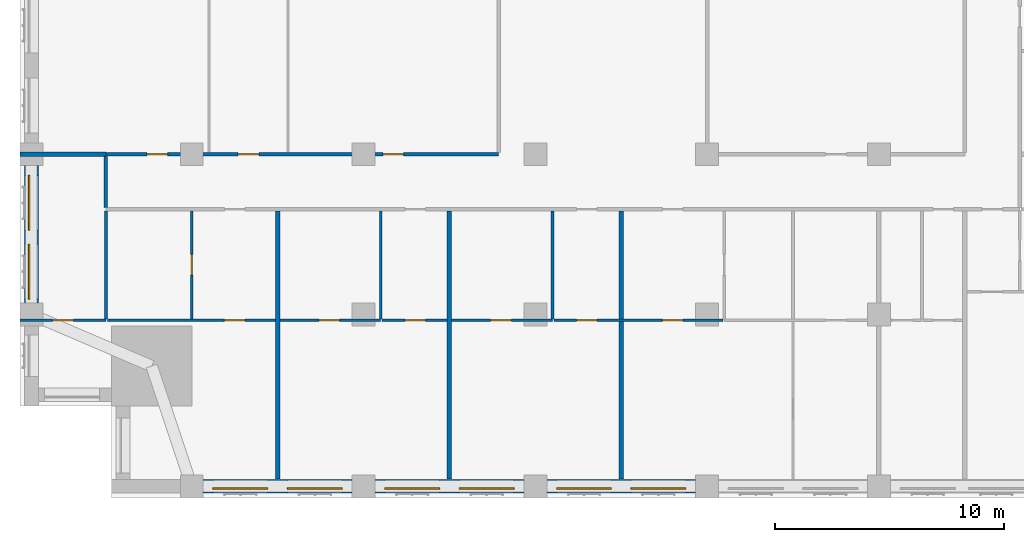
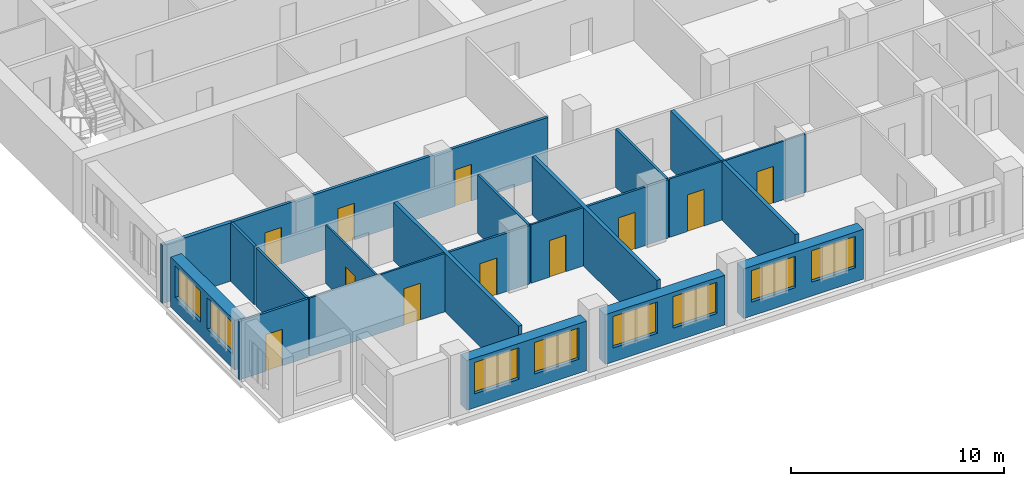
# One storey, part 4 of 14: 20 walls, 11 doors, 8 windows, 19 openings.
"""IFC4 building model written with IfcOpenShell, lengths in metres."""

from ifc_helpers import new_model, si_unit, direction, frame, frame_2d, origin, place, context, subcontext, project, spatial, rectangle, extrude, material, layer, layer_set, type_object, element, fill, save


model = new_model("IFC4")

# Units and contexts
model_context = context("Model", 3, precision=1e-05, world=origin(), true_north=direction((0.0, 1.0)))
body_context = subcontext(model_context, "Body", "Model", "MODEL_VIEW")
ifc_project = project(units=[si_unit("LENGTHUNIT", "METRE"), si_unit("AREAUNIT", "SQUARE_METRE"), si_unit("VOLUMEUNIT", "CUBIC_METRE"), si_unit("PLANEANGLEUNIT", "RADIAN"), si_unit("MASSUNIT", "GRAM", prefix="KILO")], contexts=[model_context])

# Site, building, storey
site_placement = place(None, origin())
site = spatial("IfcSite", under=ifc_project, at=site_placement, CompositionType="ELEMENT")
building_placement = place(site_placement, origin())
building = spatial("IfcBuilding", under=site, at=building_placement, Name="Tamorin Gate", CompositionType="ELEMENT")
storey_placement = place(building_placement, frame((0.0, 0.0, 148.199951171875)))
storey = spatial("IfcBuildingStorey", under=building, at=storey_placement, Name="L36", CompositionType="ELEMENT", Elevation=148.199951171875)

# Wall, openings, windows
ifc_material_1 = material(Name="Precast concrete C40/50", Category="concrete")
ifc_layer_1 = layer(ifc_material_1, 0.60009765625)
ifc_layer_set_1 = layer_set([ifc_layer_1], Name="Precast concrete C40/50")
wall_type_1 = type_object("IfcWallType", Name="Board-marked concrete facade panel 600", PredefinedType="SOLIDWALL", material=ifc_layer_set_1)
wall_1_placement = place(storey_placement, frame((38.0, 38.0, 0.0), z_axis=(0.0, 0.0, 1.0), x_axis=(1.0, 0.0, 0.0)))
wall_1 = element("IfcWall", 1, at=wall_1_placement, inside=storey, type_object=wall_type_1, Name="Facade panel", PredefinedType="SOLIDWALL", context=body_context, shape_type="SweptSolid", body=[
    extrude(rectangle(XDim=6.5, YDim=0.60009765625, at=frame_2d((3.25, 0.0))), origin(), (0.0, 0.0, 1.0), 2.85009765625),
])
opening_1_placement = place(wall_1_placement, frame((0.425048828125, 0.0, 0.800048828125)))
opening_1 = element("IfcOpeningElement", 2, at=opening_1_placement, cuts=wall_1, Name="Opening WN1", PredefinedType="OPENING", context=body_context, shape_type="SweptSolid", body=[
    extrude(rectangle(XDim=2.39990234375, YDim=1.800048828125, at=frame_2d((1.199951171875, 0.89990234375))), frame((0.0, 0.31005859375, 0.0), z_axis=(0.0, -1.0, 0.0), x_axis=(1.0, 0.0, 0.0)), (0.0, 0.0, 1.0), 0.6201171875),
])
opening_2_placement = place(wall_1_placement, frame((3.675048828125, 0.0, 0.800048828125)))
opening_2 = element("IfcOpeningElement", 3, at=opening_2_placement, cuts=wall_1, Name="Opening WN1", PredefinedType="OPENING", context=body_context, shape_type="SweptSolid", body=[
    extrude(rectangle(XDim=2.39990234375, YDim=1.800048828125, at=frame_2d((1.199951171875, 0.89990234375))), frame((0.0, 0.31005859375, 0.0), z_axis=(0.0, -1.0, 0.0), x_axis=(1.0, 0.0, 0.0)), (0.0, 0.0, 1.0), 0.6201171875),
])
ifc_material_2 = material(Name="Clear glass in aluminium frame", Category="aluminium")
window_type = type_object("IfcWindowType", Name="Deep-set window 2400x1800", PartitioningType="SINGLE_PANEL", PredefinedType="WINDOW", material=ifc_material_2)
window_1_placement = place(opening_1_placement, origin())
window_1 = element("IfcWindow", 4, at=window_1_placement, inside=storey, type_object=window_type, Name="Deep-set window", OverallHeight=1.800048828125, OverallWidth=2.39990234375, PartitioningType="SINGLE_PANEL", PredefinedType="WINDOW", context=body_context, shape_type="SweptSolid", body=[
    extrude(rectangle(XDim=2.39990234375, YDim=1.800048828125, at=frame_2d((1.199951171875, 0.89990234375))), frame((0.0, -0.070068359375, 0.0), z_axis=(0.0, -1.0, 0.0), x_axis=(1.0, 0.0, 0.0)), (0.0, 0.0, 1.0), 0.06005859375),
])
fill(opening_1, window_1)
window_2_placement = place(opening_2_placement, origin())
window_2 = element("IfcWindow", 5, at=window_2_placement, inside=storey, type_object=window_type, Name="Deep-set window", OverallHeight=1.800048828125, OverallWidth=2.39990234375, PartitioningType="SINGLE_PANEL", PredefinedType="WINDOW", context=body_context, shape_type="SweptSolid", body=[
    extrude(rectangle(XDim=2.39990234375, YDim=1.800048828125, at=frame_2d((1.199951171875, 0.89990234375))), frame((0.0, -0.070068359375, 0.0), z_axis=(0.0, -1.0, 0.0), x_axis=(1.0, 0.0, 0.0)), (0.0, 0.0, 1.0), 0.06005859375),
])
fill(opening_2, window_2)

wall_2_placement = place(storey_placement, frame((45.5, 38.0, 0.0), z_axis=(0.0, 0.0, 1.0), x_axis=(1.0, 0.0, 0.0)))
wall_2 = element("IfcWall", 6, at=wall_2_placement, inside=storey, type_object=wall_type_1, Name="Facade panel", PredefinedType="SOLIDWALL", context=body_context, shape_type="SweptSolid", body=[
    extrude(rectangle(XDim=6.5, YDim=0.60009765625, at=frame_2d((3.25, 0.0))), origin(), (0.0, 0.0, 1.0), 2.85009765625),
])
opening_3_placement = place(wall_2_placement, frame((0.425048828125, 0.0, 0.800048828125)))
opening_3 = element("IfcOpeningElement", 7, at=opening_3_placement, cuts=wall_2, Name="Opening WN1", PredefinedType="OPENING", context=body_context, shape_type="SweptSolid", body=[
    extrude(rectangle(XDim=2.39990234375, YDim=1.800048828125, at=frame_2d((1.199951171875, 0.89990234375))), frame((0.0, 0.31005859375, 0.0), z_axis=(0.0, -1.0, 0.0), x_axis=(1.0, 0.0, 0.0)), (0.0, 0.0, 1.0), 0.6201171875),
])
opening_4_placement = place(wall_2_placement, frame((3.675048828125, 0.0, 0.800048828125)))
opening_4 = element("IfcOpeningElement", 8, at=opening_4_placement, cuts=wall_2, Name="Opening WN1", PredefinedType="OPENING", context=body_context, shape_type="SweptSolid", body=[
    extrude(rectangle(XDim=2.39990234375, YDim=1.800048828125, at=frame_2d((1.199951171875, 0.89990234375))), frame((0.0, 0.31005859375, 0.0), z_axis=(0.0, -1.0, 0.0), x_axis=(1.0, 0.0, 0.0)), (0.0, 0.0, 1.0), 0.6201171875),
])
window_3_placement = place(opening_3_placement, origin())
window_3 = element("IfcWindow", 9, at=window_3_placement, inside=storey, type_object=window_type, Name="Deep-set window", OverallHeight=1.800048828125, OverallWidth=2.39990234375, PartitioningType="SINGLE_PANEL", PredefinedType="WINDOW", context=body_context, shape_type="SweptSolid", body=[
    extrude(rectangle(XDim=2.39990234375, YDim=1.800048828125, at=frame_2d((1.199951171875, 0.89990234375))), frame((0.0, -0.070068359375, 0.0), z_axis=(0.0, -1.0, 0.0), x_axis=(1.0, 0.0, 0.0)), (0.0, 0.0, 1.0), 0.06005859375),
])
fill(opening_3, window_3)
window_4_placement = place(opening_4_placement, origin())
window_4 = element("IfcWindow", 10, at=window_4_placement, inside=storey, type_object=window_type, Name="Deep-set window", OverallHeight=1.800048828125, OverallWidth=2.39990234375, PartitioningType="SINGLE_PANEL", PredefinedType="WINDOW", context=body_context, shape_type="SweptSolid", body=[
    extrude(rectangle(XDim=2.39990234375, YDim=1.800048828125, at=frame_2d((1.199951171875, 0.89990234375))), frame((0.0, -0.070068359375, 0.0), z_axis=(0.0, -1.0, 0.0), x_axis=(1.0, 0.0, 0.0)), (0.0, 0.0, 1.0), 0.06005859375),
])
fill(opening_4, window_4)

wall_3_placement = place(storey_placement, frame((53.0, 38.0, 0.0), z_axis=(0.0, 0.0, 1.0), x_axis=(1.0, 0.0, 0.0)))
wall_3 = element("IfcWall", 11, at=wall_3_placement, inside=storey, type_object=wall_type_1, Name="Facade panel", PredefinedType="SOLIDWALL", context=body_context, shape_type="SweptSolid", body=[
    extrude(rectangle(XDim=6.5, YDim=0.60009765625, at=frame_2d((3.25, 0.0))), origin(), (0.0, 0.0, 1.0), 2.85009765625),
])
opening_5_placement = place(wall_3_placement, frame((0.425048828125, 0.0, 0.800048828125)))
opening_5 = element("IfcOpeningElement", 12, at=opening_5_placement, cuts=wall_3, Name="Opening WN1", PredefinedType="OPENING", context=body_context, shape_type="SweptSolid", body=[
    extrude(rectangle(XDim=2.39990234375, YDim=1.800048828125, at=frame_2d((1.199951171875, 0.89990234375))), frame((0.0, 0.31005859375, 0.0), z_axis=(0.0, -1.0, 0.0), x_axis=(1.0, 0.0, 0.0)), (0.0, 0.0, 1.0), 0.6201171875),
])
opening_6_placement = place(wall_3_placement, frame((3.675048828125, 0.0, 0.800048828125)))
opening_6 = element("IfcOpeningElement", 13, at=opening_6_placement, cuts=wall_3, Name="Opening WN1", PredefinedType="OPENING", context=body_context, shape_type="SweptSolid", body=[
    extrude(rectangle(XDim=2.39990234375, YDim=1.800048828125, at=frame_2d((1.199951171875, 0.89990234375))), frame((0.0, 0.31005859375, 0.0), z_axis=(0.0, -1.0, 0.0), x_axis=(1.0, 0.0, 0.0)), (0.0, 0.0, 1.0), 0.6201171875),
])
window_5_placement = place(opening_5_placement, origin())
window_5 = element("IfcWindow", 14, at=window_5_placement, inside=storey, type_object=window_type, Name="Deep-set window", OverallHeight=1.800048828125, OverallWidth=2.39990234375, PartitioningType="SINGLE_PANEL", PredefinedType="WINDOW", context=body_context, shape_type="SweptSolid", body=[
    extrude(rectangle(XDim=2.39990234375, YDim=1.800048828125, at=frame_2d((1.199951171875, 0.89990234375))), frame((0.0, -0.070068359375, 0.0), z_axis=(0.0, -1.0, 0.0), x_axis=(1.0, 0.0, 0.0)), (0.0, 0.0, 1.0), 0.06005859375),
])
fill(opening_5, window_5)
window_6_placement = place(opening_6_placement, origin())
window_6 = element("IfcWindow", 15, at=window_6_placement, inside=storey, type_object=window_type, Name="Deep-set window", OverallHeight=1.800048828125, OverallWidth=2.39990234375, PartitioningType="SINGLE_PANEL", PredefinedType="WINDOW", context=body_context, shape_type="SweptSolid", body=[
    extrude(rectangle(XDim=2.39990234375, YDim=1.800048828125, at=frame_2d((1.199951171875, 0.89990234375))), frame((0.0, -0.070068359375, 0.0), z_axis=(0.0, -1.0, 0.0), x_axis=(1.0, 0.0, 0.0)), (0.0, 0.0, 1.0), 0.06005859375),
])
fill(opening_6, window_6)

wall_4_placement = place(storey_placement, frame((30.5, 52.0, 0.0), z_axis=(0.0, 0.0, 1.0), x_axis=(0.0, -1.0, 0.0)))
wall_4 = element("IfcWall", 16, at=wall_4_placement, inside=storey, type_object=wall_type_1, Name="Facade panel", PredefinedType="SOLIDWALL", context=body_context, shape_type="SweptSolid", body=[
    extrude(rectangle(XDim=6.0, YDim=0.60009765625, at=frame_2d((3.0, 0.0))), origin(), (0.0, 0.0, 1.0), 2.85009765625),
])
opening_7_placement = place(wall_4_placement, frame((3.425048828125, 0.0, 0.800048828125)))
opening_7 = element("IfcOpeningElement", 17, at=opening_7_placement, cuts=wall_4, Name="Opening WN1", PredefinedType="OPENING", context=body_context, shape_type="SweptSolid", body=[
    extrude(rectangle(XDim=2.39990234375, YDim=1.800048828125, at=frame_2d((1.199951171875, 0.89990234375))), frame((0.0, 0.31005859375, 0.0), z_axis=(0.0, -1.0, 0.0), x_axis=(1.0, 0.0, 0.0)), (0.0, 0.0, 1.0), 0.6201171875),
])
opening_8_placement = place(wall_4_placement, frame((0.425048828125, 0.0, 0.800048828125)))
opening_8 = element("IfcOpeningElement", 18, at=opening_8_placement, cuts=wall_4, Name="Opening WN1", PredefinedType="OPENING", context=body_context, shape_type="SweptSolid", body=[
    extrude(rectangle(XDim=2.39990234375, YDim=1.800048828125, at=frame_2d((1.199951171875, 0.89990234375))), frame((0.0, 0.31005859375, 0.0), z_axis=(0.0, -1.0, 0.0), x_axis=(1.0, 0.0, 0.0)), (0.0, 0.0, 1.0), 0.6201171875),
])
window_7_placement = place(opening_7_placement, origin())
window_7 = element("IfcWindow", 19, at=window_7_placement, inside=storey, type_object=window_type, Name="Deep-set window", OverallHeight=1.800048828125, OverallWidth=2.39990234375, PartitioningType="SINGLE_PANEL", PredefinedType="WINDOW", context=body_context, shape_type="SweptSolid", body=[
    extrude(rectangle(XDim=2.39990234375, YDim=1.800048828125, at=frame_2d((1.199951171875, 0.89990234375))), frame((0.0, -0.070068359375, 0.0), z_axis=(0.0, -1.0, 0.0), x_axis=(1.0, 0.0, 0.0)), (0.0, 0.0, 1.0), 0.06005859375),
])
fill(opening_7, window_7)
window_8_placement = place(opening_8_placement, origin())
window_8 = element("IfcWindow", 20, at=window_8_placement, inside=storey, type_object=window_type, Name="Deep-set window", OverallHeight=1.800048828125, OverallWidth=2.39990234375, PartitioningType="SINGLE_PANEL", PredefinedType="WINDOW", context=body_context, shape_type="SweptSolid", body=[
    extrude(rectangle(XDim=2.39990234375, YDim=1.800048828125, at=frame_2d((1.199951171875, 0.89990234375))), frame((0.0, -0.070068359375, 0.0), z_axis=(0.0, -1.0, 0.0), x_axis=(1.0, 0.0, 0.0)), (0.0, 0.0, 1.0), 0.06005859375),
])
fill(opening_8, window_8)

# Wall, openings, doors
ifc_material_3 = material(Name="Gypsum board partition")
ifc_layer_2 = layer(ifc_material_3, 0.14990234375)
ifc_layer_set_2 = layer_set([ifc_layer_2], Name="Corridor wall 150")
wall_type_2 = type_object("IfcWallType", Name="Corridor wall 150", PredefinedType="PARTITIONING", material=ifc_layer_set_2)
wall_5_placement = place(storey_placement, frame((33.75, 52.5, 0.0), z_axis=(0.0, 0.0, 1.0), x_axis=(1.0, 0.0, 0.0)))
wall_5 = element("IfcWall", 21, at=wall_5_placement, inside=storey, type_object=wall_type_2, Name="Corridor wall 150", PredefinedType="PARTITIONING", context=body_context, shape_type="SweptSolid", body=[
    extrude(rectangle(XDim=17.14990234375, YDim=0.14990234375, at=frame_2d((8.574951171875, 0.0))), origin(), (0.0, 0.0, 1.0), 3.35009765625),
])
opening_9_placement = place(wall_5_placement, frame((1.800048828125, 0.0, 0.0)))
opening_9 = element("IfcOpeningElement", 22, at=opening_9_placement, cuts=wall_5, Name="Opening DS2066", PredefinedType="OPENING", context=body_context, shape_type="SweptSolid", body=[
    extrude(rectangle(XDim=0.89990234375, YDim=2.10009765625, at=frame_2d((0.449951171875, 1.050048828125))), frame((0.0, 0.0849609375, 0.0), z_axis=(0.0, -1.0, 0.0), x_axis=(1.0, 0.0, 0.0)), (0.0, 0.0, 1.0), 0.169921875),
])
opening_10_placement = place(wall_5_placement, frame((5.77490234375, 0.0, 0.0)))
opening_10 = element("IfcOpeningElement", 23, at=opening_10_placement, cuts=wall_5, Name="Opening DS2067", PredefinedType="OPENING", context=body_context, shape_type="SweptSolid", body=[
    extrude(rectangle(XDim=0.89990234375, YDim=2.10009765625, at=frame_2d((0.449951171875, 1.050048828125))), frame((0.0, 0.0849609375, 0.0), z_axis=(0.0, -1.0, 0.0), x_axis=(1.0, 0.0, 0.0)), (0.0, 0.0, 1.0), 0.169921875),
])
opening_11_placement = place(wall_5_placement, frame((12.10009765625, 0.0, 0.0)))
opening_11 = element("IfcOpeningElement", 24, at=opening_11_placement, cuts=wall_5, Name="Opening DS2068", PredefinedType="OPENING", context=body_context, shape_type="SweptSolid", body=[
    extrude(rectangle(XDim=0.89990234375, YDim=2.10009765625, at=frame_2d((0.449951171875, 1.050048828125))), frame((0.0, 0.0849609375, 0.0), z_axis=(0.0, -1.0, 0.0), x_axis=(1.0, 0.0, 0.0)), (0.0, 0.0, 1.0), 0.169921875),
])
ifc_material_4 = material(Name="Timber door leaf", Category="wood")
door_type_1 = type_object("IfcDoorType", Name="Door 900 x 2100 FD30S", OperationType="NOTDEFINED", PredefinedType="DOOR", material=ifc_material_4)
door_1_placement = place(opening_9_placement, origin())
door_1 = element("IfcDoor", 25, at=door_1_placement, inside=storey, type_object=door_type_1, Name="Door DS2066", OperationType="SINGLE_SWING_LEFT", OverallHeight=2.10009765625, OverallWidth=0.89990234375, PredefinedType="DOOR", context=body_context, shape_type="SweptSolid", body=[
    extrude(rectangle(XDim=0.89990234375, YDim=2.10009765625, at=frame_2d((0.449951171875, 1.050048828125))), frame((0.0, 0.02490234375, 0.0), z_axis=(0.0, -1.0, 0.0), x_axis=(1.0, 0.0, 0.0)), (0.0, 0.0, 1.0), 0.050048828125),
])
fill(opening_9, door_1)
door_2_placement = place(opening_10_placement, origin())
door_2 = element("IfcDoor", 26, at=door_2_placement, inside=storey, type_object=door_type_1, Name="Door DS2067", OperationType="SINGLE_SWING_LEFT", OverallHeight=2.10009765625, OverallWidth=0.89990234375, PredefinedType="DOOR", context=body_context, shape_type="SweptSolid", body=[
    extrude(rectangle(XDim=0.89990234375, YDim=2.10009765625, at=frame_2d((0.449951171875, 1.050048828125))), frame((0.0, 0.02490234375, 0.0), z_axis=(0.0, -1.0, 0.0), x_axis=(1.0, 0.0, 0.0)), (0.0, 0.0, 1.0), 0.050048828125),
])
fill(opening_10, door_2)
door_3_placement = place(opening_11_placement, origin())
door_3 = element("IfcDoor", 27, at=door_3_placement, inside=storey, type_object=door_type_1, Name="Door DS2068", OperationType="SINGLE_SWING_LEFT", OverallHeight=2.10009765625, OverallWidth=0.89990234375, PredefinedType="DOOR", context=body_context, shape_type="SweptSolid", body=[
    extrude(rectangle(XDim=0.89990234375, YDim=2.10009765625, at=frame_2d((0.449951171875, 1.050048828125))), frame((0.0, 0.02490234375, 0.0), z_axis=(0.0, -1.0, 0.0), x_axis=(1.0, 0.0, 0.0)), (0.0, 0.0, 1.0), 0.050048828125),
])
fill(opening_11, door_3)

# Walls
wall_6_placement = place(storey_placement, frame((33.75, 50.175048828125, 0.0), z_axis=(0.0, 0.0, 1.0), x_axis=(0.0, 1.0, 0.0)))
element("IfcWall", 28, at=wall_6_placement, inside=storey, type_object=wall_type_2, Name="Corridor wall 150", PredefinedType="PARTITIONING", context=body_context, shape_type="SweptSolid", body=[
    extrude(rectangle(XDim=2.224853515625, YDim=0.14990234375, at=frame_2d((1.1123046875, 0.0))), origin(), (0.0, 0.0, 1.0), 3.35009765625),
])
ifc_layer_3 = layer(ifc_material_3, 0.199951171875)
ifc_layer_set_3 = layer_set([ifc_layer_3], Name="Demising wall 200")
wall_type_3 = type_object("IfcWallType", Name="Demising wall 200", PredefinedType="PARTITIONING", material=ifc_layer_set_3)
wall_7_placement = place(storey_placement, frame((30.0, 52.5, 0.0), z_axis=(0.0, 0.0, 1.0), x_axis=(1.0, 0.0, 0.0)))
element("IfcWall", 29, at=wall_7_placement, inside=storey, type_object=wall_type_3, Name="Demising wall 200", PredefinedType="PARTITIONING", context=body_context, shape_type="SweptSolid", body=[
    extrude(rectangle(XDim=3.75, YDim=0.199951171875, at=frame_2d((1.875, 0.0))), origin(), (0.0, 0.0, 1.0), 3.35009765625),
])
for number, where, z_axis, x_axis, name in (
    (30, (41.25, 38.31005859375, 0.0), (0.0, 0.0, 1.0), (0.0, 1.0, 0.0), "Demising wall 200"),
    (31, (48.75, 38.31005859375, 0.0), (0.0, 0.0, 1.0), (0.0, 1.0, 0.0), "Demising wall 200"),
    (32, (56.25, 38.31005859375, 0.0), (0.0, 0.0, 1.0), (0.0, 1.0, 0.0), "Demising wall 200"),
):
    element("IfcWall", number, at=place(storey_placement, frame(where, z_axis=z_axis, x_axis=x_axis)), inside=storey, type_object=wall_type_3, Name=name, PredefinedType="PARTITIONING", context=body_context, shape_type="SweptSolid", body=[
        extrude(rectangle(XDim=11.71484375, YDim=0.199951171875, at=frame_2d((5.857421875, 0.0))), origin(), (0.0, 0.0, 1.0), 3.35009765625),
    ])

# Wall, opening, door
ifc_layer_4 = layer(ifc_material_3, 0.10009765625)
ifc_layer_set_4 = layer_set([ifc_layer_4], Name="Room partition 100")
wall_type_4 = type_object("IfcWallType", Name="Room partition 100", PredefinedType="PARTITIONING", material=ifc_layer_set_4)
wall_8_placement = place(storey_placement, frame((33.8125, 45.25, 0.0), z_axis=(0.0, 0.0, 1.0), x_axis=(1.0, 0.0, 0.0)))
wall_8 = element("IfcWall", 33, at=wall_8_placement, inside=storey, type_object=wall_type_4, Name="Room partition 100", PredefinedType="PARTITIONING", context=body_context, shape_type="SweptSolid", body=[
    extrude(rectangle(XDim=7.33740234375, YDim=0.10009765625, at=frame_2d((3.668701171875, 0.0))), origin(), (0.0, 0.0, 1.0), 3.35009765625),
])
opening_12_placement = place(wall_8_placement, frame((5.112548828125, 0.0, 0.0)))
opening_12 = element("IfcOpeningElement", 34, at=opening_12_placement, cuts=wall_8, Name="Opening DS2004", PredefinedType="OPENING", context=body_context, shape_type="SweptSolid", body=[
    extrude(rectangle(XDim=0.89990234375, YDim=2.10009765625, at=frame_2d((0.449951171875, 1.050048828125))), frame((0.0, 0.06005859375, 0.0), z_axis=(0.0, -1.0, 0.0), x_axis=(1.0, 0.0, 0.0)), (0.0, 0.0, 1.0), 0.1201171875),
])
door_type_2 = type_object("IfcDoorType", Name="Door 900 x 2100", OperationType="NOTDEFINED", PredefinedType="DOOR", material=ifc_material_4)
door_4_placement = place(opening_12_placement, origin())
door_4 = element("IfcDoor", 35, at=door_4_placement, inside=storey, type_object=door_type_2, Name="Door DS2004", OperationType="SINGLE_SWING_LEFT", OverallHeight=2.10009765625, OverallWidth=0.89990234375, PredefinedType="DOOR", context=body_context, shape_type="SweptSolid", body=[
    extrude(rectangle(XDim=0.89990234375, YDim=2.10009765625, at=frame_2d((0.449951171875, 1.050048828125))), frame((0.0, 0.02490234375, 0.0), z_axis=(0.0, -1.0, 0.0), x_axis=(1.0, 0.0, 0.0)), (0.0, 0.0, 1.0), 0.050048828125),
])
fill(opening_12, door_4)

wall_9_placement = place(storey_placement, frame((45.8125, 45.25, 0.0), z_axis=(0.0, 0.0, 1.0), x_axis=(1.0, 0.0, 0.0)))
wall_9 = element("IfcWall", 36, at=wall_9_placement, inside=storey, type_object=wall_type_4, Name="Room partition 100", PredefinedType="PARTITIONING", context=body_context, shape_type="SweptSolid", body=[
    extrude(rectangle(XDim=2.83740234375, YDim=0.10009765625, at=frame_2d((1.418701171875, 0.0))), origin(), (0.0, 0.0, 1.0), 3.35009765625),
])
opening_13_placement = place(wall_9_placement, frame((0.987548828125, 0.0, 0.0)))
opening_13 = element("IfcOpeningElement", 37, at=opening_13_placement, cuts=wall_9, Name="Opening DS2007", PredefinedType="OPENING", context=body_context, shape_type="SweptSolid", body=[
    extrude(rectangle(XDim=0.89990234375, YDim=2.10009765625, at=frame_2d((0.449951171875, 1.050048828125))), frame((0.0, 0.06005859375, 0.0), z_axis=(0.0, -1.0, 0.0), x_axis=(1.0, 0.0, 0.0)), (0.0, 0.0, 1.0), 0.1201171875),
])
door_5_placement = place(opening_13_placement, origin())
door_5 = element("IfcDoor", 38, at=door_5_placement, inside=storey, type_object=door_type_2, Name="Door DS2007", OperationType="SINGLE_SWING_LEFT", OverallHeight=2.10009765625, OverallWidth=0.89990234375, PredefinedType="DOOR", context=body_context, shape_type="SweptSolid", body=[
    extrude(rectangle(XDim=0.89990234375, YDim=2.10009765625, at=frame_2d((0.449951171875, 1.050048828125))), frame((0.0, 0.02490234375, 0.0), z_axis=(0.0, -1.0, 0.0), x_axis=(1.0, 0.0, 0.0)), (0.0, 0.0, 1.0), 0.050048828125),
])
fill(opening_13, door_5)

# Wall, openings, doors
wall_10_placement = place(storey_placement, frame((53.3125, 45.25, 0.0), z_axis=(0.0, 0.0, 1.0), x_axis=(1.0, 0.0, 0.0)))
wall_10 = element("IfcWall", 39, at=wall_10_placement, inside=storey, type_object=wall_type_4, Name="Room partition 100", PredefinedType="PARTITIONING", context=body_context, shape_type="SweptSolid", body=[
    extrude(rectangle(XDim=7.375, YDim=0.10009765625, at=frame_2d((3.6875, 0.0))), origin(), (0.0, 0.0, 1.0), 3.35009765625),
])
opening_14_placement = place(wall_10_placement, frame((0.987548828125, 0.0, 0.0)))
opening_14 = element("IfcOpeningElement", 40, at=opening_14_placement, cuts=wall_10, Name="Opening DS2010", PredefinedType="OPENING", context=body_context, shape_type="SweptSolid", body=[
    extrude(rectangle(XDim=0.89990234375, YDim=2.10009765625, at=frame_2d((0.449951171875, 1.050048828125))), frame((0.0, 0.06005859375, 0.0), z_axis=(0.0, -1.0, 0.0), x_axis=(1.0, 0.0, 0.0)), (0.0, 0.0, 1.0), 0.1201171875),
])
opening_15_placement = place(wall_10_placement, frame((4.737548828125, 0.0, 0.0)))
opening_15 = element("IfcOpeningElement", 41, at=opening_15_placement, cuts=wall_10, Name="Opening DS2012", PredefinedType="OPENING", context=body_context, shape_type="SweptSolid", body=[
    extrude(rectangle(XDim=0.89990234375, YDim=2.10009765625, at=frame_2d((0.449951171875, 1.050048828125))), frame((0.0, 0.06005859375, 0.0), z_axis=(0.0, -1.0, 0.0), x_axis=(1.0, 0.0, 0.0)), (0.0, 0.0, 1.0), 0.1201171875),
])
door_6_placement = place(opening_14_placement, origin())
door_6 = element("IfcDoor", 42, at=door_6_placement, inside=storey, type_object=door_type_2, Name="Door DS2010", OperationType="SINGLE_SWING_LEFT", OverallHeight=2.10009765625, OverallWidth=0.89990234375, PredefinedType="DOOR", context=body_context, shape_type="SweptSolid", body=[
    extrude(rectangle(XDim=0.89990234375, YDim=2.10009765625, at=frame_2d((0.449951171875, 1.050048828125))), frame((0.0, 0.02490234375, 0.0), z_axis=(0.0, -1.0, 0.0), x_axis=(1.0, 0.0, 0.0)), (0.0, 0.0, 1.0), 0.050048828125),
])
fill(opening_14, door_6)
door_7_placement = place(opening_15_placement, origin())
door_7 = element("IfcDoor", 43, at=door_7_placement, inside=storey, type_object=door_type_2, Name="Door DS2012", OperationType="SINGLE_SWING_LEFT", OverallHeight=2.10009765625, OverallWidth=0.89990234375, PredefinedType="DOOR", context=body_context, shape_type="SweptSolid", body=[
    extrude(rectangle(XDim=0.89990234375, YDim=2.10009765625, at=frame_2d((0.449951171875, 1.050048828125))), frame((0.0, 0.02490234375, 0.0), z_axis=(0.0, -1.0, 0.0), x_axis=(1.0, 0.0, 0.0)), (0.0, 0.0, 1.0), 0.050048828125),
])
fill(opening_15, door_7)

# Wall, opening, door
wall_11_placement = place(storey_placement, frame((37.5, 45.300048828125, 0.0), z_axis=(0.0, 0.0, 1.0), x_axis=(0.0, 1.0, 0.0)))
wall_11 = element("IfcWall", 44, at=wall_11_placement, inside=storey, type_object=wall_type_4, Name="Room partition 100", PredefinedType="PARTITIONING", context=body_context, shape_type="SweptSolid", body=[
    extrude(rectangle(XDim=4.724853515625, YDim=0.10009765625, at=frame_2d((2.3623046875, 0.0))), origin(), (0.0, 0.0, 1.0), 3.35009765625),
])
opening_16_placement = place(wall_11_placement, frame((1.925048828125, 0.0, 0.0)))
opening_16 = element("IfcOpeningElement", 45, at=opening_16_placement, cuts=wall_11, Name="Opening DS2002", PredefinedType="OPENING", context=body_context, shape_type="SweptSolid", body=[
    extrude(rectangle(XDim=0.89990234375, YDim=2.10009765625, at=frame_2d((0.449951171875, 1.050048828125))), frame((0.0, 0.06005859375, 0.0), z_axis=(0.0, -1.0, 0.0), x_axis=(1.0, 0.0, 0.0)), (0.0, 0.0, 1.0), 0.1201171875),
])
door_8_placement = place(opening_16_placement, origin())
door_8 = element("IfcDoor", 46, at=door_8_placement, inside=storey, type_object=door_type_2, Name="Door DS2002", OperationType="SINGLE_SWING_RIGHT", OverallHeight=2.10009765625, OverallWidth=0.89990234375, PredefinedType="DOOR", context=body_context, shape_type="SweptSolid", body=[
    extrude(rectangle(XDim=0.89990234375, YDim=2.10009765625, at=frame_2d((0.449951171875, 1.050048828125))), frame((0.0, 0.02490234375, 0.0), z_axis=(0.0, -1.0, 0.0), x_axis=(1.0, 0.0, 0.0)), (0.0, 0.0, 1.0), 0.050048828125),
])
fill(opening_16, door_8)

ifc_layer_5 = layer(ifc_material_3, 0.125)
ifc_layer_set_5 = layer_set([ifc_layer_5], Name="Wet wall 125")
wall_type_5 = type_object("IfcWallType", Name="Wet wall 125", PredefinedType="PARTITIONING", material=ifc_layer_set_5)
wall_12_placement = place(storey_placement, frame((30.0, 45.25, 0.0), z_axis=(0.0, 0.0, 1.0), x_axis=(1.0, 0.0, 0.0)))
wall_12 = element("IfcWall", 47, at=wall_12_placement, inside=storey, type_object=wall_type_5, Name="Wet wall 125", PredefinedType="PARTITIONING", context=body_context, shape_type="SweptSolid", body=[
    extrude(rectangle(XDim=3.75, YDim=0.125, at=frame_2d((1.875, 0.0))), origin(), (0.0, 0.0, 1.0), 3.35009765625),
])
opening_17_placement = place(wall_12_placement, frame((1.425048828125, 0.0, 0.0)))
opening_17 = element("IfcOpeningElement", 48, at=opening_17_placement, cuts=wall_12, Name="Opening DS2001", PredefinedType="OPENING", context=body_context, shape_type="SweptSolid", body=[
    extrude(rectangle(XDim=0.89990234375, YDim=2.10009765625, at=frame_2d((0.449951171875, 1.050048828125))), frame((0.0, 0.072509765625, 0.0), z_axis=(0.0, -1.0, 0.0), x_axis=(1.0, 0.0, 0.0)), (0.0, 0.0, 1.0), 0.14501953125),
])
door_9_placement = place(opening_17_placement, origin())
door_9 = element("IfcDoor", 49, at=door_9_placement, inside=storey, type_object=door_type_2, Name="Door DS2001", OperationType="SINGLE_SWING_LEFT", OverallHeight=2.10009765625, OverallWidth=0.89990234375, PredefinedType="DOOR", context=body_context, shape_type="SweptSolid", body=[
    extrude(rectangle(XDim=0.89990234375, YDim=2.10009765625, at=frame_2d((0.449951171875, 1.050048828125))), frame((0.0, 0.02490234375, 0.0), z_axis=(0.0, -1.0, 0.0), x_axis=(1.0, 0.0, 0.0)), (0.0, 0.0, 1.0), 0.050048828125),
])
fill(opening_17, door_9)

wall_13_placement = place(storey_placement, frame((41.35009765625, 45.25, 0.0), z_axis=(0.0, 0.0, 1.0), x_axis=(1.0, 0.0, 0.0)))
wall_13 = element("IfcWall", 50, at=wall_13_placement, inside=storey, type_object=wall_type_5, Name="Wet wall 125", PredefinedType="PARTITIONING", context=body_context, shape_type="SweptSolid", body=[
    extrude(rectangle(XDim=4.39990234375, YDim=0.125, at=frame_2d((2.199951171875, 0.0))), origin(), (0.0, 0.0, 1.0), 3.35009765625),
])
opening_18_placement = place(wall_13_placement, frame((1.699951171875, 0.0, 0.0)))
opening_18 = element("IfcOpeningElement", 51, at=opening_18_placement, cuts=wall_13, Name="Opening DS2005", PredefinedType="OPENING", context=body_context, shape_type="SweptSolid", body=[
    extrude(rectangle(XDim=0.89990234375, YDim=2.10009765625, at=frame_2d((0.449951171875, 1.050048828125))), frame((0.0, 0.072509765625, 0.0), z_axis=(0.0, -1.0, 0.0), x_axis=(1.0, 0.0, 0.0)), (0.0, 0.0, 1.0), 0.14501953125),
])
door_10_placement = place(opening_18_placement, origin())
door_10 = element("IfcDoor", 52, at=door_10_placement, inside=storey, type_object=door_type_2, Name="Door DS2005", OperationType="SINGLE_SWING_LEFT", OverallHeight=2.10009765625, OverallWidth=0.89990234375, PredefinedType="DOOR", context=body_context, shape_type="SweptSolid", body=[
    extrude(rectangle(XDim=0.89990234375, YDim=2.10009765625, at=frame_2d((0.449951171875, 1.050048828125))), frame((0.0, 0.02490234375, 0.0), z_axis=(0.0, -1.0, 0.0), x_axis=(1.0, 0.0, 0.0)), (0.0, 0.0, 1.0), 0.050048828125),
])
fill(opening_18, door_10)

wall_14_placement = place(storey_placement, frame((48.85009765625, 45.25, 0.0), z_axis=(0.0, 0.0, 1.0), x_axis=(1.0, 0.0, 0.0)))
wall_14 = element("IfcWall", 53, at=wall_14_placement, inside=storey, type_object=wall_type_5, Name="Wet wall 125", PredefinedType="PARTITIONING", context=body_context, shape_type="SweptSolid", body=[
    extrude(rectangle(XDim=4.39990234375, YDim=0.125, at=frame_2d((2.199951171875, 0.0))), origin(), (0.0, 0.0, 1.0), 3.35009765625),
])
opening_19_placement = place(wall_14_placement, frame((1.699951171875, 0.0, 0.0)))
opening_19 = element("IfcOpeningElement", 54, at=opening_19_placement, cuts=wall_14, Name="Opening DS2008", PredefinedType="OPENING", context=body_context, shape_type="SweptSolid", body=[
    extrude(rectangle(XDim=0.89990234375, YDim=2.10009765625, at=frame_2d((0.449951171875, 1.050048828125))), frame((0.0, 0.072509765625, 0.0), z_axis=(0.0, -1.0, 0.0), x_axis=(1.0, 0.0, 0.0)), (0.0, 0.0, 1.0), 0.14501953125),
])
door_11_placement = place(opening_19_placement, origin())
door_11 = element("IfcDoor", 55, at=door_11_placement, inside=storey, type_object=door_type_2, Name="Door DS2008", OperationType="SINGLE_SWING_LEFT", OverallHeight=2.10009765625, OverallWidth=0.89990234375, PredefinedType="DOOR", context=body_context, shape_type="SweptSolid", body=[
    extrude(rectangle(XDim=0.89990234375, YDim=2.10009765625, at=frame_2d((0.449951171875, 1.050048828125))), frame((0.0, 0.02490234375, 0.0), z_axis=(0.0, -1.0, 0.0), x_axis=(1.0, 0.0, 0.0)), (0.0, 0.0, 1.0), 0.050048828125),
])
fill(opening_19, door_11)

# Walls
for number, where, z_axis, x_axis, name in (
    (56, (33.75, 45.3125, 0.0), (0.0, 0.0, 1.0), (0.0, 1.0, 0.0), "Wet wall 125"),
    (57, (45.75, 45.3125, 0.0), (0.0, 0.0, 1.0), (0.0, 1.0, 0.0), "Wet wall 125"),
    (58, (53.25, 45.3125, 0.0), (0.0, 0.0, 1.0), (0.0, 1.0, 0.0), "Wet wall 125"),
):
    element("IfcWall", number, at=place(storey_placement, frame(where, z_axis=z_axis, x_axis=x_axis)), inside=storey, type_object=wall_type_5, Name=name, PredefinedType="PARTITIONING", context=body_context, shape_type="SweptSolid", body=[
        extrude(rectangle(XDim=4.71240234375, YDim=0.125, at=frame_2d((2.356201171875, 0.0))), origin(), (0.0, 0.0, 1.0), 3.35009765625),
    ])

save(model, "model.ifc")
